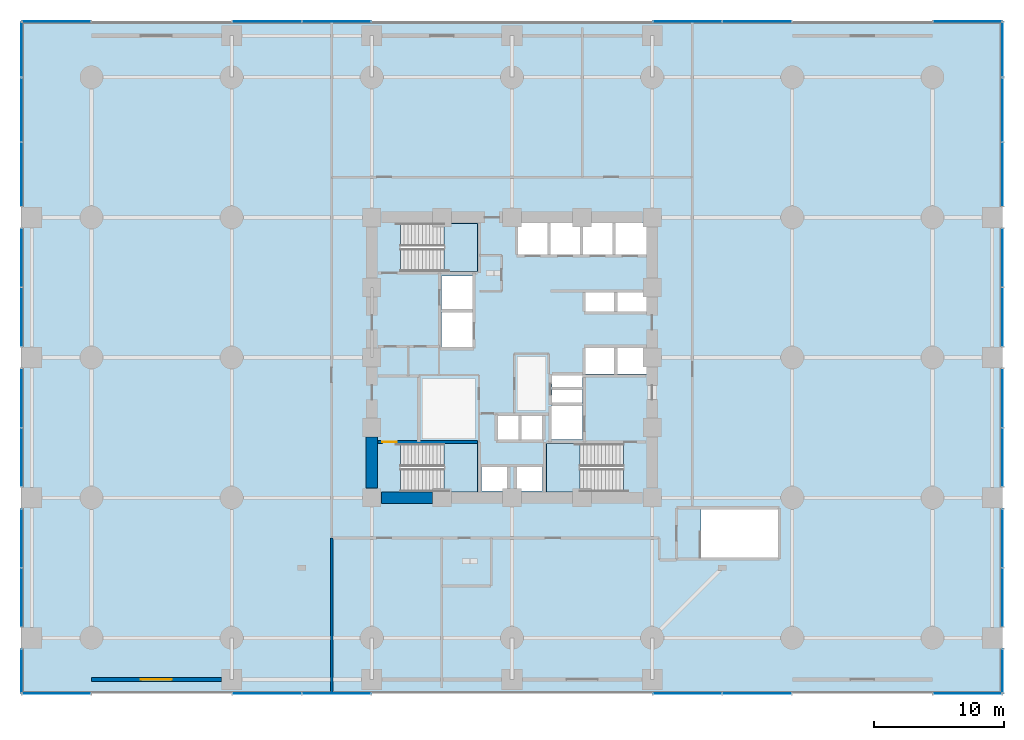
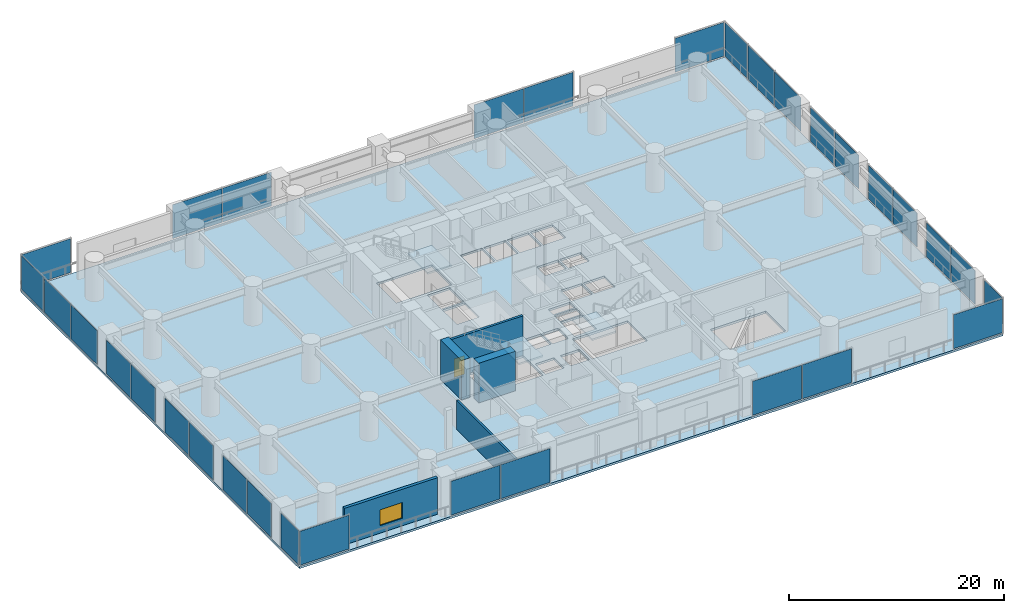
# One storey, part 26 of 35: 32 plates, 5 walls, 4 slabs, 1 door, 1 window, 2 openings, 23 elements without a shape of their own.
"""IFC4 building model written with IfcOpenShell, lengths in metres."""

from ifc_helpers import new_model, si_unit, direction, frame, frame_2d, origin, place, context, subcontext, project, spatial, polyline, rectangle, outline, extrude, material, layer, layer_set, type_object, element, fill, aggregate, save


model = new_model("IFC4")

# Units and contexts
model_context = context("Model", 3, precision=1e-05, world=origin(), true_north=direction((0.0, 1.0)))
body_context = subcontext(model_context, "Body", "Model", "MODEL_VIEW")
ifc_project = project(units=[si_unit("LENGTHUNIT", "METRE"), si_unit("AREAUNIT", "SQUARE_METRE"), si_unit("VOLUMEUNIT", "CUBIC_METRE"), si_unit("PLANEANGLEUNIT", "RADIAN"), si_unit("MASSUNIT", "GRAM", prefix="KILO")], contexts=[model_context])

# Site, building, storey
site_placement = place(None, origin())
site = spatial("IfcSite", under=ifc_project, at=site_placement, CompositionType="ELEMENT")
building_placement = place(site_placement, origin())
building = spatial("IfcBuilding", under=site, at=building_placement, Name="Surkhivell Harbour Commons", CompositionType="ELEMENT")
storey_placement = place(building_placement, frame((0.0, 0.0, 13.5)))
storey = spatial("IfcBuildingStorey", under=building, at=storey_placement, Name="L03", CompositionType="ELEMENT", Elevation=13.5)

# Curtain wall, plate
ifc_material_1 = material(Name="Anodised pale-metal aluminium and insulated glazing", Category="aluminium")
ifc_layer_1 = layer(ifc_material_1, 0.239990234375)
ifc_layer_set_1 = layer_set([ifc_layer_1], Name="Anodised pale-metal aluminium and insulated glazing")
curtain_wall_type = type_object("IfcCurtainWallType", Name="CW-SYS-POD", PredefinedType="NOTDEFINED", material=ifc_layer_set_1)
curtain_wall_1_placement = place(storey_placement, origin())
curtain_wall_1 = element("IfcCurtainWall", 1, at=curtain_wall_1_placement, inside=storey, type_object=curtain_wall_type, Name="L03 Curtain Wall CW-L03-N1", PredefinedType="NOTDEFINED")
ifc_material_2 = material(Name="Double-silver low-E laminated vision glass", Category="glass")
ifc_layer_2 = layer(ifc_material_2, 0.031982421875)
ifc_layer_set_2 = layer_set([ifc_layer_2], Name="Double-silver low-E laminated vision glass")
plate_type = type_object("IfcPlateType", Name="CWP-GLZ-32", PredefinedType="CURTAIN_PANEL", material=ifc_layer_set_2)
plate_1_placement = place(storey_placement, frame((-37.72509765625, 25.89990234375, 0.14990234375), z_axis=(0.0, 0.0, 1.0), x_axis=(1.0, 0.0, 0.0)))
plate_1 = element("IfcPlate", 2, at=plate_1_placement, type_object=plate_type, Name="CW-POD panel 1.1", PredefinedType="CURTAIN_PANEL", context=body_context, shape_type="SweptSolid", body=[
    extrude(rectangle(XDim=5.25, YDim=0.031982421875, at=frame_2d((2.625, 0.0))), origin(), (0.0, 0.0, 1.0), 3.85009765625),
])
aggregate(curtain_wall_1, [plate_1])

curtain_wall_2_placement = place(storey_placement, origin())
curtain_wall_2 = element("IfcCurtainWall", 3, at=curtain_wall_2_placement, inside=storey, type_object=curtain_wall_type, Name="L03 Curtain Wall CW-L03-S1", PredefinedType="NOTDEFINED")
plate_2_placement = place(storey_placement, frame((-32.47509765625, -25.89990234375, 0.14990234375), z_axis=(0.0, 0.0, 1.0), x_axis=(-1.0, 0.0, 0.0)))
plate_2 = element("IfcPlate", 4, at=plate_2_placement, type_object=plate_type, Name="CW-POD panel 1.1", PredefinedType="CURTAIN_PANEL", context=body_context, shape_type="SweptSolid", body=[
    extrude(rectangle(XDim=5.25, YDim=0.031982421875, at=frame_2d((2.625, 0.0))), origin(), (0.0, 0.0, 1.0), 3.85009765625),
])
aggregate(curtain_wall_2, [plate_2])

# Curtain wall, plates
curtain_wall_3_placement = place(storey_placement, origin())
curtain_wall_3 = element("IfcCurtainWall", 5, at=curtain_wall_3_placement, inside=storey, type_object=curtain_wall_type, Name="L03 Curtain Wall CW-L03-N3", PredefinedType="NOTDEFINED")
plate_3_placement = place(storey_placement, frame((-21.52490234375, 25.89990234375, 0.14990234375), z_axis=(0.0, 0.0, 1.0), x_axis=(1.0, 0.0, 0.0)))
plate_3 = element("IfcPlate", 6, at=plate_3_placement, type_object=plate_type, Name="CW-POD panel 1.1", PredefinedType="CURTAIN_PANEL", context=body_context, shape_type="SweptSolid", body=[
    extrude(rectangle(XDim=5.287353515625, YDim=0.031982421875, at=frame_2d((2.6435546875, 0.0))), origin(), (0.0, 0.0, 1.0), 3.85009765625),
])
plate_4_placement = place(storey_placement, frame((-16.16259765625, 25.89990234375, 0.14990234375), z_axis=(0.0, 0.0, 1.0), x_axis=(1.0, 0.0, 0.0)))
plate_4 = element("IfcPlate", 7, at=plate_4_placement, type_object=plate_type, Name="CW-POD panel 2.1", PredefinedType="CURTAIN_PANEL", context=body_context, shape_type="SweptSolid", body=[
    extrude(rectangle(XDim=5.28759765625, YDim=0.031982421875, at=frame_2d((2.643798828125, 0.0))), origin(), (0.0, 0.0, 1.0), 3.85009765625),
])
aggregate(curtain_wall_3, [plate_3, plate_4])

curtain_wall_4_placement = place(storey_placement, origin())
curtain_wall_4 = element("IfcCurtainWall", 8, at=curtain_wall_4_placement, inside=storey, type_object=curtain_wall_type, Name="L03 Curtain Wall CW-L03-S3", PredefinedType="NOTDEFINED")
plate_5_placement = place(storey_placement, frame((-10.875, -25.89990234375, 0.14990234375), z_axis=(0.0, 0.0, 1.0), x_axis=(-1.0, 0.0, 0.0)))
plate_5 = element("IfcPlate", 9, at=plate_5_placement, type_object=plate_type, Name="CW-POD panel 1.1", PredefinedType="CURTAIN_PANEL", context=body_context, shape_type="SweptSolid", body=[
    extrude(rectangle(XDim=5.28759765625, YDim=0.031982421875, at=frame_2d((2.643798828125, 0.0))), origin(), (0.0, 0.0, 1.0), 3.85009765625),
])
plate_6_placement = place(storey_placement, frame((-16.237548828125, -25.89990234375, 0.14990234375), z_axis=(0.0, 0.0, 1.0), x_axis=(-1.0, 0.0, 0.0)))
plate_6 = element("IfcPlate", 10, at=plate_6_placement, type_object=plate_type, Name="CW-POD panel 2.1", PredefinedType="CURTAIN_PANEL", context=body_context, shape_type="SweptSolid", body=[
    extrude(rectangle(XDim=5.287353515625, YDim=0.031982421875, at=frame_2d((2.6435546875, 0.0))), origin(), (0.0, 0.0, 1.0), 3.85009765625),
])
aggregate(curtain_wall_4, [plate_5, plate_6])

curtain_wall_5_placement = place(storey_placement, origin())
curtain_wall_5 = element("IfcCurtainWall", 11, at=curtain_wall_5_placement, inside=storey, type_object=curtain_wall_type, Name="L03 Curtain Wall CW-L03-N6", PredefinedType="NOTDEFINED")
plate_7_placement = place(storey_placement, frame((10.875, 25.89990234375, 0.14990234375), z_axis=(0.0, 0.0, 1.0), x_axis=(1.0, 0.0, 0.0)))
plate_7 = element("IfcPlate", 12, at=plate_7_placement, type_object=plate_type, Name="CW-POD panel 1.1", PredefinedType="CURTAIN_PANEL", context=body_context, shape_type="SweptSolid", body=[
    extrude(rectangle(XDim=5.28759765625, YDim=0.031982421875, at=frame_2d((2.643798828125, 0.0))), origin(), (0.0, 0.0, 1.0), 3.85009765625),
])
plate_8_placement = place(storey_placement, frame((16.237548828125, 25.89990234375, 0.14990234375), z_axis=(0.0, 0.0, 1.0), x_axis=(1.0, 0.0, 0.0)))
plate_8 = element("IfcPlate", 13, at=plate_8_placement, type_object=plate_type, Name="CW-POD panel 2.1", PredefinedType="CURTAIN_PANEL", context=body_context, shape_type="SweptSolid", body=[
    extrude(rectangle(XDim=5.287353515625, YDim=0.031982421875, at=frame_2d((2.6435546875, 0.0))), origin(), (0.0, 0.0, 1.0), 3.85009765625),
])
aggregate(curtain_wall_5, [plate_7, plate_8])

curtain_wall_6_placement = place(storey_placement, origin())
curtain_wall_6 = element("IfcCurtainWall", 14, at=curtain_wall_6_placement, inside=storey, type_object=curtain_wall_type, Name="L03 Curtain Wall CW-L03-S6", PredefinedType="NOTDEFINED")
plate_9_placement = place(storey_placement, frame((21.52490234375, -25.89990234375, 0.14990234375), z_axis=(0.0, 0.0, 1.0), x_axis=(-1.0, 0.0, 0.0)))
plate_9 = element("IfcPlate", 15, at=plate_9_placement, type_object=plate_type, Name="CW-POD panel 1.1", PredefinedType="CURTAIN_PANEL", context=body_context, shape_type="SweptSolid", body=[
    extrude(rectangle(XDim=5.287353515625, YDim=0.031982421875, at=frame_2d((2.6435546875, 0.0))), origin(), (0.0, 0.0, 1.0), 3.85009765625),
])
plate_10_placement = place(storey_placement, frame((16.16259765625, -25.89990234375, 0.14990234375), z_axis=(0.0, 0.0, 1.0), x_axis=(-1.0, 0.0, 0.0)))
plate_10 = element("IfcPlate", 16, at=plate_10_placement, type_object=plate_type, Name="CW-POD panel 2.1", PredefinedType="CURTAIN_PANEL", context=body_context, shape_type="SweptSolid", body=[
    extrude(rectangle(XDim=5.28759765625, YDim=0.031982421875, at=frame_2d((2.643798828125, 0.0))), origin(), (0.0, 0.0, 1.0), 3.85009765625),
])
aggregate(curtain_wall_6, [plate_9, plate_10])

# Curtain wall, plate
curtain_wall_7_placement = place(storey_placement, origin())
curtain_wall_7 = element("IfcCurtainWall", 17, at=curtain_wall_7_placement, inside=storey, type_object=curtain_wall_type, Name="L03 Curtain Wall CW-L03-N8", PredefinedType="NOTDEFINED")
plate_11_placement = place(storey_placement, frame((32.47509765625, 25.89990234375, 0.14990234375), z_axis=(0.0, 0.0, 1.0), x_axis=(1.0, 0.0, 0.0)))
plate_11 = element("IfcPlate", 18, at=plate_11_placement, type_object=plate_type, Name="CW-POD panel 1.1", PredefinedType="CURTAIN_PANEL", context=body_context, shape_type="SweptSolid", body=[
    extrude(rectangle(XDim=5.25, YDim=0.031982421875, at=frame_2d((2.625, 0.0))), origin(), (0.0, 0.0, 1.0), 3.85009765625),
])
aggregate(curtain_wall_7, [plate_11])

curtain_wall_8_placement = place(storey_placement, origin())
curtain_wall_8 = element("IfcCurtainWall", 19, at=curtain_wall_8_placement, inside=storey, type_object=curtain_wall_type, Name="L03 Curtain Wall CW-L03-S8", PredefinedType="NOTDEFINED")
plate_12_placement = place(storey_placement, frame((37.72509765625, -25.89990234375, 0.14990234375), z_axis=(0.0, 0.0, 1.0), x_axis=(-1.0, 0.0, 0.0)))
plate_12 = element("IfcPlate", 20, at=plate_12_placement, type_object=plate_type, Name="CW-POD panel 1.1", PredefinedType="CURTAIN_PANEL", context=body_context, shape_type="SweptSolid", body=[
    extrude(rectangle(XDim=5.25, YDim=0.031982421875, at=frame_2d((2.625, 0.0))), origin(), (0.0, 0.0, 1.0), 3.85009765625),
])
aggregate(curtain_wall_8, [plate_12])

curtain_wall_9_placement = place(storey_placement, origin())
curtain_wall_9 = element("IfcCurtainWall", 21, at=curtain_wall_9_placement, inside=storey, type_object=curtain_wall_type, Name="L03 Curtain Wall CW-L03-W1", PredefinedType="NOTDEFINED")
plate_13_placement = place(storey_placement, frame((-37.800048828125, -25.824951171875, 0.14990234375), z_axis=(0.0, 0.0, 1.0), x_axis=(0.0, 1.0, 0.0)))
plate_13 = element("IfcPlate", 22, at=plate_13_placement, type_object=plate_type, Name="CW-POD panel 1.1", PredefinedType="CURTAIN_PANEL", context=body_context, shape_type="SweptSolid", body=[
    extrude(rectangle(XDim=3.347900390625, YDim=0.031982421875, at=frame_2d((1.673828125, 0.0))), origin(), (0.0, 0.0, 1.0), 3.85009765625),
])
aggregate(curtain_wall_9, [plate_13])

curtain_wall_10_placement = place(storey_placement, origin())
curtain_wall_10 = element("IfcCurtainWall", 23, at=curtain_wall_10_placement, inside=storey, type_object=curtain_wall_type, Name="L03 Curtain Wall CW-L03-E1", PredefinedType="NOTDEFINED")
plate_14_placement = place(storey_placement, frame((37.800048828125, -22.47705078125, 0.14990234375), z_axis=(0.0, 0.0, 1.0), x_axis=(0.0, -1.0, 0.0)))
plate_14 = element("IfcPlate", 24, at=plate_14_placement, type_object=plate_type, Name="CW-POD panel 1.1", PredefinedType="CURTAIN_PANEL", context=body_context, shape_type="SweptSolid", body=[
    extrude(rectangle(XDim=3.347900390625, YDim=0.031982421875, at=frame_2d((1.673828125, 0.0))), origin(), (0.0, 0.0, 1.0), 3.85009765625),
])
aggregate(curtain_wall_10, [plate_14])

# Curtain wall, plates
curtain_wall_11_placement = place(storey_placement, origin())
curtain_wall_11 = element("IfcCurtainWall", 25, at=curtain_wall_11_placement, inside=storey, type_object=curtain_wall_type, Name="L03 Curtain Wall CW-L03-W2", PredefinedType="NOTDEFINED")
plate_15_placement = place(storey_placement, frame((-37.800048828125, -20.722900390625, 0.14990234375), z_axis=(0.0, 0.0, 1.0), x_axis=(0.0, 1.0, 0.0)))
plate_15 = element("IfcPlate", 26, at=plate_15_placement, type_object=plate_type, Name="CW-POD panel 1.1", PredefinedType="CURTAIN_PANEL", context=body_context, shape_type="SweptSolid", body=[
    extrude(rectangle(XDim=4.4853515625, YDim=0.031982421875, at=frame_2d((2.24267578125, 0.0))), origin(), (0.0, 0.0, 1.0), 3.85009765625),
])
plate_16_placement = place(storey_placement, frame((-37.800048828125, -16.16259765625, 0.14990234375), z_axis=(0.0, 0.0, 1.0), x_axis=(0.0, 1.0, 0.0)))
plate_16 = element("IfcPlate", 27, at=plate_16_placement, type_object=plate_type, Name="CW-POD panel 2.1", PredefinedType="CURTAIN_PANEL", context=body_context, shape_type="SweptSolid", body=[
    extrude(rectangle(XDim=4.485595703125, YDim=0.031982421875, at=frame_2d((2.24267578125, 0.0))), origin(), (0.0, 0.0, 1.0), 3.85009765625),
])
aggregate(curtain_wall_11, [plate_15, plate_16])

curtain_wall_12_placement = place(storey_placement, origin())
curtain_wall_12 = element("IfcCurtainWall", 28, at=curtain_wall_12_placement, inside=storey, type_object=curtain_wall_type, Name="L03 Curtain Wall CW-L03-E2", PredefinedType="NOTDEFINED")
plate_17_placement = place(storey_placement, frame((37.800048828125, -11.677001953125, 0.14990234375), z_axis=(0.0, 0.0, 1.0), x_axis=(0.0, -1.0, 0.0)))
plate_17 = element("IfcPlate", 29, at=plate_17_placement, type_object=plate_type, Name="CW-POD panel 1.1", PredefinedType="CURTAIN_PANEL", context=body_context, shape_type="SweptSolid", body=[
    extrude(rectangle(XDim=4.485595703125, YDim=0.031982421875, at=frame_2d((2.24267578125, 0.0))), origin(), (0.0, 0.0, 1.0), 3.85009765625),
])
plate_18_placement = place(storey_placement, frame((37.800048828125, -16.237548828125, 0.14990234375), z_axis=(0.0, 0.0, 1.0), x_axis=(0.0, -1.0, 0.0)))
plate_18 = element("IfcPlate", 30, at=plate_18_placement, type_object=plate_type, Name="CW-POD panel 2.1", PredefinedType="CURTAIN_PANEL", context=body_context, shape_type="SweptSolid", body=[
    extrude(rectangle(XDim=4.4853515625, YDim=0.031982421875, at=frame_2d((2.24267578125, 0.0))), origin(), (0.0, 0.0, 1.0), 3.85009765625),
])
aggregate(curtain_wall_12, [plate_17, plate_18])

curtain_wall_13_placement = place(storey_placement, origin())
curtain_wall_13 = element("IfcCurtainWall", 31, at=curtain_wall_13_placement, inside=storey, type_object=curtain_wall_type, Name="L03 Curtain Wall CW-L03-W3", PredefinedType="NOTDEFINED")
plate_19_placement = place(storey_placement, frame((-37.800048828125, -9.923095703125, 0.14990234375), z_axis=(0.0, 0.0, 1.0), x_axis=(0.0, 1.0, 0.0)))
plate_19 = element("IfcPlate", 32, at=plate_19_placement, type_object=plate_type, Name="CW-POD panel 1.1", PredefinedType="CURTAIN_PANEL", context=body_context, shape_type="SweptSolid", body=[
    extrude(rectangle(XDim=4.485595703125, YDim=0.031982421875, at=frame_2d((2.24267578125, 0.0))), origin(), (0.0, 0.0, 1.0), 3.85009765625),
])
plate_20_placement = place(storey_placement, frame((-37.800048828125, -5.362548828125, 0.14990234375), z_axis=(0.0, 0.0, 1.0), x_axis=(0.0, 1.0, 0.0)))
plate_20 = element("IfcPlate", 33, at=plate_20_placement, type_object=plate_type, Name="CW-POD panel 2.1", PredefinedType="CURTAIN_PANEL", context=body_context, shape_type="SweptSolid", body=[
    extrude(rectangle(XDim=4.485595703125, YDim=0.031982421875, at=frame_2d((2.24267578125, 0.0))), origin(), (0.0, 0.0, 1.0), 3.85009765625),
])
aggregate(curtain_wall_13, [plate_19, plate_20])

curtain_wall_14_placement = place(storey_placement, origin())
curtain_wall_14 = element("IfcCurtainWall", 34, at=curtain_wall_14_placement, inside=storey, type_object=curtain_wall_type, Name="L03 Curtain Wall CW-L03-E3", PredefinedType="NOTDEFINED")
plate_21_placement = place(storey_placement, frame((37.800048828125, -0.876953125, 0.14990234375), z_axis=(0.0, 0.0, 1.0), x_axis=(0.0, -1.0, 0.0)))
plate_21 = element("IfcPlate", 35, at=plate_21_placement, type_object=plate_type, Name="CW-POD panel 1.1", PredefinedType="CURTAIN_PANEL", context=body_context, shape_type="SweptSolid", body=[
    extrude(rectangle(XDim=4.485595703125, YDim=0.031982421875, at=frame_2d((2.24267578125, 0.0))), origin(), (0.0, 0.0, 1.0), 3.85009765625),
])
plate_22_placement = place(storey_placement, frame((37.800048828125, -5.4375, 0.14990234375), z_axis=(0.0, 0.0, 1.0), x_axis=(0.0, -1.0, 0.0)))
plate_22 = element("IfcPlate", 36, at=plate_22_placement, type_object=plate_type, Name="CW-POD panel 2.1", PredefinedType="CURTAIN_PANEL", context=body_context, shape_type="SweptSolid", body=[
    extrude(rectangle(XDim=4.485595703125, YDim=0.031982421875, at=frame_2d((2.24267578125, 0.0))), origin(), (0.0, 0.0, 1.0), 3.85009765625),
])
aggregate(curtain_wall_14, [plate_21, plate_22])

curtain_wall_15_placement = place(storey_placement, origin())
curtain_wall_15 = element("IfcCurtainWall", 37, at=curtain_wall_15_placement, inside=storey, type_object=curtain_wall_type, Name="L03 Curtain Wall CW-L03-W4", PredefinedType="NOTDEFINED")
plate_23_placement = place(storey_placement, frame((-37.800048828125, 0.876953125, 0.14990234375), z_axis=(0.0, 0.0, 1.0), x_axis=(0.0, 1.0, 0.0)))
plate_23 = element("IfcPlate", 38, at=plate_23_placement, type_object=plate_type, Name="CW-POD panel 1.1", PredefinedType="CURTAIN_PANEL", context=body_context, shape_type="SweptSolid", body=[
    extrude(rectangle(XDim=4.485595703125, YDim=0.031982421875, at=frame_2d((2.24267578125, 0.0))), origin(), (0.0, 0.0, 1.0), 3.85009765625),
])
plate_24_placement = place(storey_placement, frame((-37.800048828125, 5.4375, 0.14990234375), z_axis=(0.0, 0.0, 1.0), x_axis=(0.0, 1.0, 0.0)))
plate_24 = element("IfcPlate", 39, at=plate_24_placement, type_object=plate_type, Name="CW-POD panel 2.1", PredefinedType="CURTAIN_PANEL", context=body_context, shape_type="SweptSolid", body=[
    extrude(rectangle(XDim=4.485595703125, YDim=0.031982421875, at=frame_2d((2.24267578125, 0.0))), origin(), (0.0, 0.0, 1.0), 3.85009765625),
])
aggregate(curtain_wall_15, [plate_23, plate_24])

curtain_wall_16_placement = place(storey_placement, origin())
curtain_wall_16 = element("IfcCurtainWall", 40, at=curtain_wall_16_placement, inside=storey, type_object=curtain_wall_type, Name="L03 Curtain Wall CW-L03-E4", PredefinedType="NOTDEFINED")
plate_25_placement = place(storey_placement, frame((37.800048828125, 9.923095703125, 0.14990234375), z_axis=(0.0, 0.0, 1.0), x_axis=(0.0, -1.0, 0.0)))
plate_25 = element("IfcPlate", 41, at=plate_25_placement, type_object=plate_type, Name="CW-POD panel 1.1", PredefinedType="CURTAIN_PANEL", context=body_context, shape_type="SweptSolid", body=[
    extrude(rectangle(XDim=4.485595703125, YDim=0.031982421875, at=frame_2d((2.24267578125, 0.0))), origin(), (0.0, 0.0, 1.0), 3.85009765625),
])
plate_26_placement = place(storey_placement, frame((37.800048828125, 5.362548828125, 0.14990234375), z_axis=(0.0, 0.0, 1.0), x_axis=(0.0, -1.0, 0.0)))
plate_26 = element("IfcPlate", 42, at=plate_26_placement, type_object=plate_type, Name="CW-POD panel 2.1", PredefinedType="CURTAIN_PANEL", context=body_context, shape_type="SweptSolid", body=[
    extrude(rectangle(XDim=4.485595703125, YDim=0.031982421875, at=frame_2d((2.24267578125, 0.0))), origin(), (0.0, 0.0, 1.0), 3.85009765625),
])
aggregate(curtain_wall_16, [plate_25, plate_26])

curtain_wall_17_placement = place(storey_placement, origin())
curtain_wall_17 = element("IfcCurtainWall", 43, at=curtain_wall_17_placement, inside=storey, type_object=curtain_wall_type, Name="L03 Curtain Wall CW-L03-W5", PredefinedType="NOTDEFINED")
plate_27_placement = place(storey_placement, frame((-37.800048828125, 11.677001953125, 0.14990234375), z_axis=(0.0, 0.0, 1.0), x_axis=(0.0, 1.0, 0.0)))
plate_27 = element("IfcPlate", 44, at=plate_27_placement, type_object=plate_type, Name="CW-POD panel 1.1", PredefinedType="CURTAIN_PANEL", context=body_context, shape_type="SweptSolid", body=[
    extrude(rectangle(XDim=4.886474609375, YDim=0.031982421875, at=frame_2d((2.443359375, 0.0))), origin(), (0.0, 0.0, 1.0), 3.85009765625),
])
plate_28_placement = place(storey_placement, frame((-37.800048828125, 16.638427734375, 0.14990234375), z_axis=(0.0, 0.0, 1.0), x_axis=(0.0, 1.0, 0.0)))
plate_28 = element("IfcPlate", 45, at=plate_28_placement, type_object=plate_type, Name="CW-POD panel 2.1", PredefinedType="CURTAIN_PANEL", context=body_context, shape_type="SweptSolid", body=[
    extrude(rectangle(XDim=4.886474609375, YDim=0.031982421875, at=frame_2d((2.443359375, 0.0))), origin(), (0.0, 0.0, 1.0), 3.85009765625),
])
aggregate(curtain_wall_17, [plate_27, plate_28])

curtain_wall_18_placement = place(storey_placement, origin())
curtain_wall_18 = element("IfcCurtainWall", 46, at=curtain_wall_18_placement, inside=storey, type_object=curtain_wall_type, Name="L03 Curtain Wall CW-L03-E5", PredefinedType="NOTDEFINED")
plate_29_placement = place(storey_placement, frame((37.800048828125, 21.52490234375, 0.14990234375), z_axis=(0.0, 0.0, 1.0), x_axis=(0.0, -1.0, 0.0)))
plate_29 = element("IfcPlate", 47, at=plate_29_placement, type_object=plate_type, Name="CW-POD panel 1.1", PredefinedType="CURTAIN_PANEL", context=body_context, shape_type="SweptSolid", body=[
    extrude(rectangle(XDim=4.886474609375, YDim=0.031982421875, at=frame_2d((2.443359375, 0.0))), origin(), (0.0, 0.0, 1.0), 3.85009765625),
])
plate_30_placement = place(storey_placement, frame((37.800048828125, 16.5634765625, 0.14990234375), z_axis=(0.0, 0.0, 1.0), x_axis=(0.0, -1.0, 0.0)))
plate_30 = element("IfcPlate", 48, at=plate_30_placement, type_object=plate_type, Name="CW-POD panel 2.1", PredefinedType="CURTAIN_PANEL", context=body_context, shape_type="SweptSolid", body=[
    extrude(rectangle(XDim=4.886474609375, YDim=0.031982421875, at=frame_2d((2.443359375, 0.0))), origin(), (0.0, 0.0, 1.0), 3.85009765625),
])
aggregate(curtain_wall_18, [plate_29, plate_30])

# Curtain wall, plate
curtain_wall_19_placement = place(storey_placement, origin())
curtain_wall_19 = element("IfcCurtainWall", 49, at=curtain_wall_19_placement, inside=storey, type_object=curtain_wall_type, Name="L03 Curtain Wall CW-L03-W6", PredefinedType="NOTDEFINED")
plate_31_placement = place(storey_placement, frame((-37.800048828125, 21.675048828125, 0.14990234375), z_axis=(0.0, 0.0, 1.0), x_axis=(0.0, 1.0, 0.0)))
plate_31 = element("IfcPlate", 50, at=plate_31_placement, type_object=plate_type, Name="CW-POD panel 1.1", PredefinedType="CURTAIN_PANEL", context=body_context, shape_type="SweptSolid", body=[
    extrude(rectangle(XDim=4.14990234375, YDim=0.031982421875, at=frame_2d((2.074951171875, 0.0))), origin(), (0.0, 0.0, 1.0), 3.85009765625),
])
aggregate(curtain_wall_19, [plate_31])

curtain_wall_20_placement = place(storey_placement, origin())
curtain_wall_20 = element("IfcCurtainWall", 51, at=curtain_wall_20_placement, inside=storey, type_object=curtain_wall_type, Name="L03 Curtain Wall CW-L03-E6", PredefinedType="NOTDEFINED")
plate_32_placement = place(storey_placement, frame((37.800048828125, 25.824951171875, 0.14990234375), z_axis=(0.0, 0.0, 1.0), x_axis=(0.0, -1.0, 0.0)))
plate_32 = element("IfcPlate", 52, at=plate_32_placement, type_object=plate_type, Name="CW-POD panel 1.1", PredefinedType="CURTAIN_PANEL", context=body_context, shape_type="SweptSolid", body=[
    extrude(rectangle(XDim=4.14990234375, YDim=0.031982421875, at=frame_2d((2.074951171875, 0.0))), origin(), (0.0, 0.0, 1.0), 3.85009765625),
])
aggregate(curtain_wall_20, [plate_32])

# Slab
ifc_material_3 = material(Name="Concrete C50/60", Category="concrete")
ifc_layer_3 = layer(ifc_material_3, 0.25)
ifc_layer_set_3 = layer_set([ifc_layer_3], Name="Concrete C50/60")
slab_type_1 = type_object("IfcSlabType", Name="SLB-POD-250", PredefinedType="FLOOR", material=ifc_layer_set_3)
slab_1_placement = place(storey_placement, frame((0.0, 0.0, -0.25)))
element("IfcSlab", 53, at=slab_1_placement, inside=storey, type_object=slab_type_1, Name="L03 Structural Floor Slab", PredefinedType="FLOOR", context=body_context, shape_type="SweptSolid", body=[
    extrude(outline(polyline([(-37.800048828125, -25.89990234375), (37.800048828125, -25.89990234375), (37.800048828125, 25.89990234375), (-37.800048828125, 25.89990234375), (-37.800048828125, -25.89990234375)]), holes=[polyline([(-8.590087890625, 6.639892578125), (-2.639892578125, 6.639892578125), (-2.639892578125, 10.340087890625), (-8.590087890625, 10.340087890625), (-8.590087890625, 6.639892578125)]), polyline([(8.590087890625, -6.639892578125), (2.639892578125, -6.639892578125), (2.639892578125, -10.340087890625), (8.590087890625, -10.340087890625), (8.590087890625, -6.639892578125)]), polyline([(-8.590087890625, -10.340087890625), (-2.639892578125, -10.340087890625), (-2.639892578125, -6.639892578125), (-8.590087890625, -6.639892578125), (-8.590087890625, -10.340087890625)]), polyline([(14.550048828125, -15.39990234375), (20.5, -15.39990234375), (20.5, -11.699951171875), (14.550048828125, -11.699951171875), (14.550048828125, -15.39990234375)]), polyline([(0.449951171875, 7.949951171875), (2.75, 7.949951171875), (2.75, 10.35009765625), (0.449951171875, 10.35009765625), (0.449951171875, 7.949951171875)]), polyline([(2.949951171875, 7.949951171875), (5.25, 7.949951171875), (5.25, 10.35009765625), (2.949951171875, 10.35009765625), (2.949951171875, 7.949951171875)]), polyline([(5.449951171875, 7.949951171875), (7.75, 7.949951171875), (7.75, 10.35009765625), (5.449951171875, 10.35009765625), (5.449951171875, 7.949951171875)]), polyline([(7.949951171875, 7.949951171875), (10.35009765625, 7.949951171875), (10.35009765625, 10.35009765625), (7.949951171875, 10.35009765625), (7.949951171875, 7.949951171875)]), polyline([(5.64990234375, 3.550048828125), (7.89990234375, 3.550048828125), (7.89990234375, 5.14990234375), (5.64990234375, 5.14990234375), (5.64990234375, 3.550048828125)]), polyline([(8.10009765625, 3.550048828125), (10.35009765625, 3.550048828125), (10.35009765625, 5.14990234375), (8.10009765625, 5.14990234375), (8.10009765625, 3.550048828125)]), polyline([(5.64990234375, -1.25), (7.89990234375, -1.25), (7.89990234375, 0.75), (5.64990234375, 0.75), (5.64990234375, -1.25)]), polyline([(8.10009765625, -1.25), (10.35009765625, -1.25), (10.35009765625, 0.75), (8.10009765625, 0.75), (8.10009765625, -1.25)]), polyline([(-1.14990234375, -6.35009765625), (0.550048828125, -6.35009765625), (0.550048828125, -4.449951171875), (-1.14990234375, -4.449951171875), (-1.14990234375, -6.35009765625)]), polyline([(0.679931640625, -6.35009765625), (2.3798828125, -6.35009765625), (2.3798828125, -4.449951171875), (0.679931640625, -4.449951171875), (0.679931640625, -6.35009765625)]), polyline([(-2.35009765625, -10.300048828125), (-0.35009765625, -10.300048828125), (-0.35009765625, -8.39990234375), (-2.35009765625, -8.39990234375), (-2.35009765625, -10.300048828125)]), polyline([(0.35009765625, -10.300048828125), (2.35009765625, -10.300048828125), (2.35009765625, -8.39990234375), (0.35009765625, -8.39990234375), (0.35009765625, -10.300048828125)]), polyline([(-5.449951171875, 3.699951171875), (-3.050048828125, 3.699951171875), (-3.050048828125, 6.300048828125), (-5.449951171875, 6.300048828125), (-5.449951171875, 3.699951171875)]), polyline([(3.050048828125, -6.300048828125), (5.449951171875, -6.300048828125), (5.449951171875, -3.699951171875), (3.050048828125, -3.699951171875), (3.050048828125, -6.300048828125)]), polyline([(-5.449951171875, 0.800048828125), (-3.050048828125, 0.800048828125), (-3.050048828125, 3.5), (-5.449951171875, 3.5), (-5.449951171875, 0.800048828125)]), polyline([(3.10009765625, -3.550048828125), (5.449951171875, -3.550048828125), (5.449951171875, -2.47998046875), (3.10009765625, -2.47998046875), (3.10009765625, -3.550048828125)]), polyline([(3.10009765625, -2.280029296875), (5.449951171875, -2.280029296875), (5.449951171875, -1.35009765625), (3.10009765625, -1.35009765625), (3.10009765625, -2.280029296875)])]), origin(), (0.0, 0.0, 1.0), 0.25),
])

# Stair, slab
ifc_material_4 = material(Name="Precast concrete C45/55", Category="concrete")
stair_type = type_object("IfcStairType", Name="STR-DL-450", PredefinedType="HALF_TURN_STAIR", material=ifc_material_4)
stair_1_placement = place(storey_placement, origin())
stair_1 = element("IfcStair", 54, at=stair_1_placement, inside=storey, type_object=stair_type, Name="L03 Core Exit Stair ST1", PredefinedType="HALF_TURN_STAIR")
ifc_material_5 = material(Name="Reinforced concrete C45/55", Category="concrete")
ifc_layer_4 = layer(ifc_material_5, 0.199951171875)
ifc_layer_set_4 = layer_set([ifc_layer_4], Name="Reinforced concrete C45/55")
slab_type_2 = type_object("IfcSlabType", Name="SLB-ST-LND200", PredefinedType="LANDING", material=ifc_layer_set_4)
slab_2_placement = place(storey_placement, frame((0.0, 0.0, 2.050048828125)))
slab_2 = element("IfcSlab", 55, at=slab_2_placement, type_object=slab_type_2, Name="ST1 landing 1", PredefinedType="LANDING", context=body_context, shape_type="SweptSolid", body=[
    extrude(outline(polyline([(-5.22998046875, 6.639892578125), (-2.639892578125, 6.639892578125), (-2.639892578125, 10.340087890625), (-5.22998046875, 10.340087890625), (-5.22998046875, 6.639892578125)])), origin(), (0.0, 0.0, 1.0), 0.199951171875),
])
aggregate(stair_1, [slab_2])

stair_2_placement = place(storey_placement, origin())
stair_2 = element("IfcStair", 56, at=stair_2_placement, inside=storey, type_object=stair_type, Name="L03 Core Exit Stair ST2", PredefinedType="HALF_TURN_STAIR")
slab_3_placement = place(storey_placement, frame((0.0, 0.0, 2.050048828125)))
slab_3 = element("IfcSlab", 57, at=slab_3_placement, type_object=slab_type_2, Name="ST2 landing 1", PredefinedType="LANDING", context=body_context, shape_type="SweptSolid", body=[
    extrude(outline(polyline([(5.22998046875, -6.639892578125), (2.639892578125, -6.639892578125), (2.639892578125, -10.340087890625), (5.22998046875, -10.340087890625), (5.22998046875, -6.639892578125)])), origin(), (0.0, 0.0, 1.0), 0.199951171875),
])
aggregate(stair_2, [slab_3])

stair_3_placement = place(storey_placement, origin())
stair_3 = element("IfcStair", 58, at=stair_3_placement, inside=storey, type_object=stair_type, Name="L03 Core Exit Stair ST3", PredefinedType="HALF_TURN_STAIR")
slab_4_placement = place(storey_placement, frame((0.0, 0.0, 2.050048828125)))
slab_4 = element("IfcSlab", 59, at=slab_4_placement, type_object=slab_type_2, Name="ST3 landing 1", PredefinedType="LANDING", context=body_context, shape_type="SweptSolid", body=[
    extrude(outline(polyline([(-5.22998046875, -10.340087890625), (-2.639892578125, -10.340087890625), (-2.639892578125, -6.639892578125), (-5.22998046875, -6.639892578125), (-5.22998046875, -10.340087890625)])), origin(), (0.0, 0.0, 1.0), 0.199951171875),
])
aggregate(stair_3, [slab_4])

# Walls
ifc_material_6 = material(Name="Concrete C80/95", Category="concrete")
ifc_layer_5 = layer(ifc_material_6, 0.89990234375)
ifc_layer_set_5 = layer_set([ifc_layer_5], Name="Concrete C80/95")
wall_type_1 = type_object("IfcWallType", Name="WAL-CORE-900", PredefinedType="SHEAR", material=ifc_layer_set_5)
for number, where, z_axis, x_axis, name in (
    (60, (-10.06494140625, -10.800048828125, 0.0), (0.0, 0.0, 1.0), (1.0, 0.0, 0.0), "L03 Core Shear Wall South 1"),
    (61, (-10.800048828125, -10.06494140625, 0.0), (0.0, 0.0, 1.0), (0.0, 1.0, 0.0), "L03 Core Shear Wall West 1"),
):
    element("IfcWall", number, at=place(storey_placement, frame(where, z_axis=z_axis, x_axis=x_axis)), inside=storey, type_object=wall_type_1, Name=name, PredefinedType="SHEAR", context=body_context, shape_type="SweptSolid", body=[
        extrude(rectangle(XDim=3.929931640625, YDim=0.89990234375, at=frame_2d((1.96484375, 0.0))), origin(), (0.0, 0.0, 1.0), 4.5),
    ])

# Wall, opening, window
ifc_material_7 = material(Name="Kiln-fired surkhi brick and precast concrete C45/55", Category="masonry")
ifc_layer_6 = layer(ifc_material_7, 0.320068359375)
ifc_layer_set_6 = layer_set([ifc_layer_6], Name="Kiln-fired surkhi brick and precast concrete C45/55")
wall_type_2 = type_object("IfcWallType", Name="WAL-EXT-BRK320", PredefinedType="STANDARD", material=ifc_layer_set_6)
wall_1_placement = place(storey_placement, frame((-22.39794921875, -24.800048828125, 0.0), z_axis=(0.0, 0.0, 1.0), x_axis=(-1.0, 0.0, 0.0)))
wall_1 = element("IfcWall", 62, at=wall_1_placement, inside=storey, type_object=wall_type_2, Name="L03 Podium Brick Facade Wall S2", PredefinedType="STANDARD", context=body_context, shape_type="SweptSolid", body=[
    extrude(rectangle(XDim=10.001953125, YDim=0.320068359375, at=frame_2d((5.0009765625, 0.0))), origin(), (0.0, 0.0, 1.0), 4.14990234375),
])
opening_1_placement = place(wall_1_placement, frame((3.801025390625, 0.0, 0.85009765625)))
opening_1 = element("IfcOpeningElement", 63, at=opening_1_placement, cuts=wall_1, Name="Opening WN-01", PredefinedType="OPENING", context=body_context, shape_type="SweptSolid", body=[
    extrude(rectangle(XDim=2.39990234375, YDim=1.800048828125, at=frame_2d((1.199951171875, 0.89990234375))), frame((0.0, 0.169921875, 0.0), z_axis=(0.0, -1.0, 0.0), x_axis=(1.0, 0.0, 0.0)), (0.0, 0.0, 1.0), 0.340087890625),
])
ifc_material_8 = material(Name="Thermal-break aluminium frame and double low-E glazing", Category="aluminium")
window_type = type_object("IfcWindowType", Name="WIN-POD-2400x1800", PartitioningType="DOUBLE_PANEL_VERTICAL", PredefinedType="WINDOW", material=ifc_material_8)
window_placement = place(opening_1_placement, origin())
window = element("IfcWindow", 64, at=window_placement, inside=storey, type_object=window_type, Name="L03 Podium Punched Window S2", OverallHeight=1.800048828125, OverallWidth=2.39990234375, PartitioningType="SINGLE_PANEL", PredefinedType="WINDOW", context=body_context, shape_type="SweptSolid", body=[
    extrude(rectangle(XDim=2.39990234375, YDim=1.800048828125, at=frame_2d((1.199951171875, 0.89990234375))), frame((0.0, 0.030029296875, 0.0), z_axis=(0.0, -1.0, 0.0), x_axis=(1.0, 0.0, 0.0)), (0.0, 0.0, 1.0), 0.06005859375),
])
fill(opening_1, window)

# Wall
ifc_material_9 = material(Name="Autoclaved aerated concrete blockwork and fire plaster", Category="masonry")
ifc_layer_7 = layer(ifc_material_9, 0.199951171875)
ifc_layer_set_7 = layer_set([ifc_layer_7], Name="Autoclaved aerated concrete blockwork and fire plaster")
wall_type_3 = type_object("IfcWallType", Name="WAL-INT-200", PredefinedType="PARTITIONING", material=ifc_layer_set_7)
wall_2_placement = place(storey_placement, frame((-13.89990234375, -25.860107421875, 0.0), z_axis=(0.0, 0.0, 1.0), x_axis=(0.0, 1.0, 0.0)))
element("IfcWall", 65, at=wall_2_placement, inside=storey, type_object=wall_type_3, Name="L03 Corner SW Divider", PredefinedType="PARTITIONING", context=body_context, shape_type="SweptSolid", body=[
    extrude(rectangle(XDim=11.960205078125, YDim=0.199951171875, at=frame_2d((5.97998046875, 0.0))), origin(), (0.0, 0.0, 1.0), 3.279052734375),
])

# Wall, opening, door
ifc_layer_8 = layer(ifc_material_3, 0.25)
ifc_layer_set_8 = layer_set([ifc_layer_8], Name="Concrete C50/60")
wall_type_4 = type_object("IfcWallType", Name="WAL-SHAFT-250", PredefinedType="SHEAR", material=ifc_layer_set_8)
wall_3_placement = place(storey_placement, frame((-10.340087890625, -6.510009765625, 0.0), z_axis=(0.0, 0.0, 1.0), x_axis=(1.0, 0.0, 0.0)))
wall_3 = element("IfcWall", 66, at=wall_3_placement, inside=storey, type_object=wall_type_4, Name="L03 Stair ST3 North Shear Wall", PredefinedType="SHEAR", context=body_context, shape_type="SweptSolid", body=[
    extrude(rectangle(XDim=7.7001953125, YDim=0.25, at=frame_2d((3.85009765625, 0.0))), origin(), (0.0, 0.0, 1.0), 4.5),
])
opening_2_placement = place(wall_3_placement, frame((0.35009765625, 0.0, 0.0)))
opening_2 = element("IfcOpeningElement", 67, at=opening_2_placement, cuts=wall_3, Name="Opening ID-2", PredefinedType="OPENING", context=body_context, shape_type="SweptSolid", body=[
    extrude(rectangle(XDim=1.10009765625, YDim=2.10009765625, at=frame_2d((0.550048828125, 1.050048828125))), frame((0.0, 0.135009765625, 0.0), z_axis=(0.0, -1.0, 0.0), x_axis=(1.0, 0.0, 0.0)), (0.0, 0.0, 1.0), 0.27001953125),
])
ifc_material_10 = material(Name="Hardwood-veneered fire-rated door leaf", Category="wood")
door_type = type_object("IfcDoorType", Name="DOR-FD60-1100", OperationType="NOTDEFINED", PredefinedType="DOOR", material=ifc_material_10)
door_placement = place(opening_2_placement, origin())
door = element("IfcDoor", 68, at=door_placement, inside=storey, type_object=door_type, Name="L03 Stair ST3 Exit Door", OperationType="SINGLE_SWING_RIGHT", OverallHeight=2.10009765625, OverallWidth=1.10009765625, PredefinedType="DOOR", context=body_context, shape_type="SweptSolid", body=[
    extrude(rectangle(XDim=1.10009765625, YDim=2.10009765625, at=frame_2d((0.550048828125, 1.050048828125))), frame((0.0, 0.02490234375, 0.0), z_axis=(0.0, -1.0, 0.0), x_axis=(1.0, 0.0, 0.0)), (0.0, 0.0, 1.0), 0.050048828125),
])
fill(opening_2, door)

save(model, "model.ifc")
